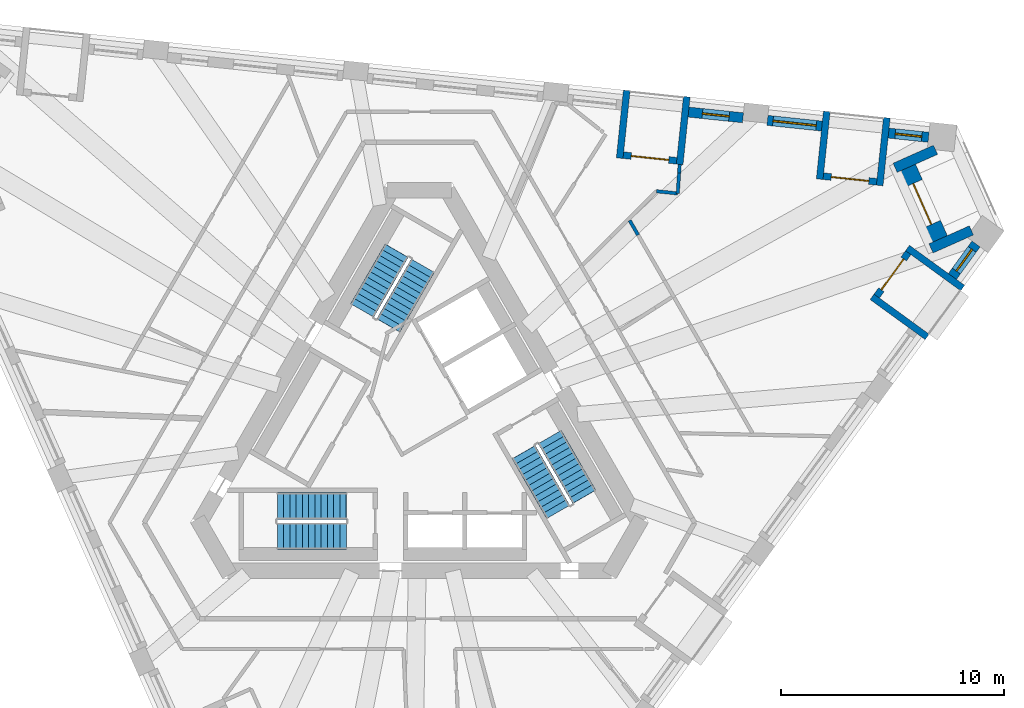
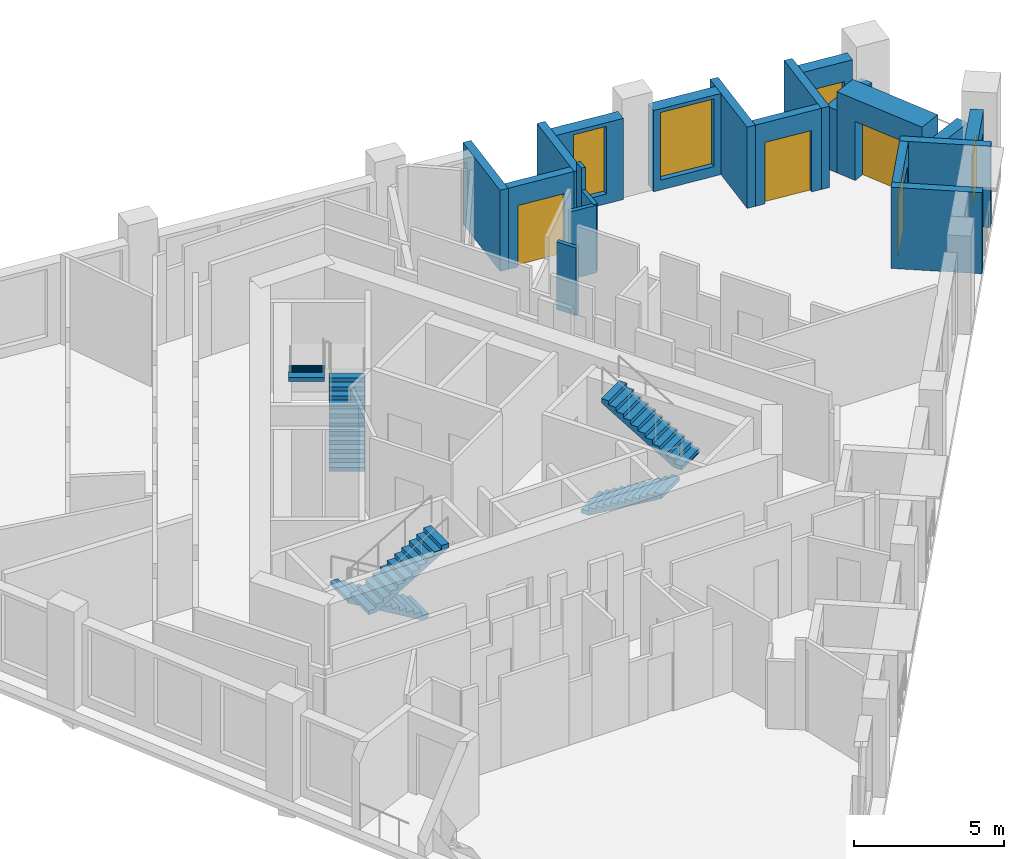
# One storey, part 8 of 11: 20 walls, 6 stair flights, 4 doors, 4 windows, 8 openings, 3 elements without a shape of their own.
"""IFC4 building model written with IfcOpenShell, lengths in metres."""

from ifc_helpers import new_model, si_unit, direction, frame, frame_2d, origin, place, context, subcontext, project, spatial, polyline, rectangle, outline, extrude, material, layer, layer_set, type_object, element, fill, aggregate, save


model = new_model("IFC4")

# Units and contexts
model_context = context("Model", 3, precision=1e-05, world=origin(), true_north=direction((0.0, 1.0)))
body_context = subcontext(model_context, "Body", "Model", "MODEL_VIEW")
ifc_project = project(units=[si_unit("LENGTHUNIT", "METRE"), si_unit("AREAUNIT", "SQUARE_METRE"), si_unit("VOLUMEUNIT", "CUBIC_METRE"), si_unit("PLANEANGLEUNIT", "RADIAN"), si_unit("MASSUNIT", "GRAM", prefix="KILO")], contexts=[model_context])

# Site, building, storey
site_placement = place(None, origin())
site = spatial("IfcSite", under=ifc_project, at=site_placement, CompositionType="ELEMENT")
building_placement = place(site_placement, origin())
building = spatial("IfcBuilding", under=site, at=building_placement, Name="Tramontana Tower", CompositionType="ELEMENT")
storey_placement = place(building_placement, frame((0.0, 0.0, 261.199951171875)))
storey = spatial("IfcBuildingStorey", under=building, at=storey_placement, Name="L61", CompositionType="ELEMENT", Elevation=261.199951171875)

# Wall, opening, window
ifc_material_1 = material(Name="Precast concrete 60 MPa", Category="concrete")
ifc_layer_1 = layer(ifc_material_1, 0.449951171875)
ifc_layer_set_1 = layer_set([ifc_layer_1], Name="Precast concrete 60 MPa, 450 mm")
wall_type_1 = type_object("IfcWallType", Name="EW1 Stone-faced precast wall 450", PredefinedType="SOLIDWALL", material=ifc_layer_set_1)
wall_1_placement = place(storey_placement, frame((23.868408203125, 6.77978515625, 0.0), z_axis=(0.0, 0.0, 1.0), x_axis=(0.587793056764, 0.809011324037, 0.0)))
wall_1 = element("IfcWall", 1, at=wall_1_placement, inside=storey, type_object=wall_type_1, Name="External wall L61 face 1 bay 5", PredefinedType="SOLIDWALL", context=body_context, shape_type="SweptSolid", body=[
    extrude(rectangle(XDim=1.80224609375, YDim=0.449951171875, at=frame_2d((0.901123046875, 0.0))), origin(), (0.0, 0.0, 1.0), 3.300048828125),
])
opening_1_placement = place(wall_1_placement, frame((0.301025390625, 0.0, 0.39990234375)))
opening_1 = element("IfcOpeningElement", 2, at=opening_1_placement, cuts=wall_1, Name="Opening N3L", PredefinedType="OPENING", context=body_context, shape_type="SweptSolid", body=[
    extrude(rectangle(XDim=1.199951171875, YDim=2.10009765625, at=frame_2d((0.60009765625, 1.050048828125))), frame((0.0, 0.23486328125, 0.0), z_axis=(0.0, -1.0, 0.0), x_axis=(1.0, 0.0, 0.0)), (0.0, 0.0, 1.0), 0.469970703125),
])
ifc_material_2 = material(Name="Aluminum frame, double glazing unit", Category="aluminium")
window_type_1 = type_object("IfcWindowType", Name="N3L Window 1.2 x 2.1", PartitioningType="SINGLE_PANEL", PredefinedType="WINDOW", material=ifc_material_2)
window_1_placement = place(opening_1_placement, origin())
window_1 = element("IfcWindow", 3, at=window_1_placement, inside=storey, type_object=window_type_1, Name="Window N3L L61 face 1 module 15", OverallHeight=2.10009765625, OverallWidth=1.199951171875, PartitioningType="SINGLE_PANEL", PredefinedType="WINDOW", context=body_context, shape_type="SweptSolid", body=[
    extrude(rectangle(XDim=1.199951171875, YDim=2.10009765625, at=frame_2d((0.60009765625, 1.050048828125))), frame((0.0, 0.030029296875, 0.0), z_axis=(0.0, -1.0, 0.0), x_axis=(1.0, 0.0, 0.0)), (0.0, 0.0, 1.0), 0.06005859375),
])
fill(opening_1, window_1)

wall_2_placement = place(storey_placement, frame((22.8017578125, 13.012939453125, 0.0), z_axis=(0.0, 0.0, 1.0), x_axis=(-0.994529922737, 0.104452059724, 0.0)))
wall_2 = element("IfcWall", 4, at=wall_2_placement, inside=storey, type_object=wall_type_1, Name="External wall L61 face 2 bay 1", PredefinedType="SOLIDWALL", context=body_context, shape_type="SweptSolid", body=[
    extrude(rectangle(XDim=1.802001953125, YDim=0.449951171875, at=frame_2d((0.90087890625, 0.0))), origin(), (0.0, 0.0, 1.0), 3.300048828125),
])
opening_2_placement = place(wall_2_placement, frame((0.301025390625, 0.0, 0.39990234375)))
opening_2 = element("IfcOpeningElement", 5, at=opening_2_placement, cuts=wall_2, Name="Opening N3L", PredefinedType="OPENING", context=body_context, shape_type="SweptSolid", body=[
    extrude(rectangle(XDim=1.199951171875, YDim=2.10009765625, at=frame_2d((0.60009765625, 1.050048828125))), frame((0.0, 0.23486328125, 0.0), z_axis=(0.0, -1.0, 0.0), x_axis=(1.0, 0.0, 0.0)), (0.0, 0.0, 1.0), 0.469970703125),
])
window_2_placement = place(opening_2_placement, origin())
window_2 = element("IfcWindow", 6, at=window_2_placement, inside=storey, type_object=window_type_1, Name="Window N3L L61 face 2 module 1", OverallHeight=2.10009765625, OverallWidth=1.199951171875, PartitioningType="SINGLE_PANEL", PredefinedType="WINDOW", context=body_context, shape_type="SweptSolid", body=[
    extrude(rectangle(XDim=1.199951171875, YDim=2.10009765625, at=frame_2d((0.60009765625, 1.050048828125))), frame((0.0, 0.030029296875, 0.0), z_axis=(0.0, -1.0, 0.0), x_axis=(1.0, 0.0, 0.0)), (0.0, 0.0, 1.0), 0.06005859375),
])
fill(opening_2, window_2)

wall_3_placement = place(storey_placement, frame((18.023681640625, 13.51513671875, 0.0), z_axis=(0.0, 0.0, 1.0), x_axis=(-0.994520717537, 0.104539668977, 0.0)))
wall_3 = element("IfcWall", 7, at=wall_3_placement, inside=storey, type_object=wall_type_1, Name="External wall L61 face 2 bay 1", PredefinedType="SOLIDWALL", context=body_context, shape_type="SweptSolid", body=[
    extrude(rectangle(XDim=2.4521484375, YDim=0.449951171875, at=frame_2d((1.22607421875, 0.0))), origin(), (0.0, 0.0, 1.0), 3.300048828125),
])
opening_3_placement = place(wall_3_placement, frame((0.251220703125, 0.0, 0.39990234375)))
opening_3 = element("IfcOpeningElement", 8, at=opening_3_placement, cuts=wall_3, Name="Opening M3", PredefinedType="OPENING", context=body_context, shape_type="SweptSolid", body=[
    extrude(rectangle(XDim=1.949951171875, YDim=2.75, at=frame_2d((0.97509765625, 1.375))), frame((0.0, 0.23486328125, 0.0), z_axis=(0.0, -1.0, 0.0), x_axis=(1.0, 0.0, 0.0)), (0.0, 0.0, 1.0), 0.469970703125),
])
ifc_material_3 = material(Name="Aluminum frame, double glazing unit", Category="aluminium")
window_type_2 = type_object("IfcWindowType", Name="M3 Window 1.95 x 2.75", PartitioningType="SINGLE_PANEL", PredefinedType="WINDOW", material=ifc_material_3)
window_3_placement = place(opening_3_placement, origin())
window_3 = element("IfcWindow", 9, at=window_3_placement, inside=storey, type_object=window_type_2, Name="Window M3 L61 face 2 module 3", OverallHeight=2.75, OverallWidth=1.949951171875, PartitioningType="SINGLE_PANEL", PredefinedType="WINDOW", context=body_context, shape_type="SweptSolid", body=[
    extrude(rectangle(XDim=1.949951171875, YDim=2.75, at=frame_2d((0.97509765625, 1.375))), frame((0.0, 0.030029296875, 0.0), z_axis=(0.0, -1.0, 0.0), x_axis=(1.0, 0.0, 0.0)), (0.0, 0.0, 1.0), 0.06005859375),
])
fill(opening_3, window_3)

wall_4_placement = place(storey_placement, frame((14.490966796875, 13.886474609375, 0.0), z_axis=(0.0, 0.0, 1.0), x_axis=(-0.99453214974, 0.104430853361, 0.0)))
wall_4 = element("IfcWall", 10, at=wall_4_placement, inside=storey, type_object=wall_type_1, Name="External wall L61 face 2 bay 2", PredefinedType="SOLIDWALL", context=body_context, shape_type="SweptSolid", body=[
    extrude(rectangle(XDim=2.452392578125, YDim=0.449951171875, at=frame_2d((1.22607421875, 0.0))), origin(), (0.0, 0.0, 1.0), 3.300048828125),
])
opening_4_placement = place(wall_4_placement, frame((0.626220703125, 0.0, 0.39990234375)))
opening_4 = element("IfcOpeningElement", 11, at=opening_4_placement, cuts=wall_4, Name="Opening N3", PredefinedType="OPENING", context=body_context, shape_type="SweptSolid", body=[
    extrude(rectangle(XDim=1.199951171875, YDim=2.75, at=frame_2d((0.60009765625, 1.375))), frame((0.0, 0.23486328125, 0.0), z_axis=(0.0, -1.0, 0.0), x_axis=(1.0, 0.0, 0.0)), (0.0, 0.0, 1.0), 0.469970703125),
])
ifc_material_4 = material(Name="Aluminum frame, double glazing unit", Category="aluminium")
window_type_3 = type_object("IfcWindowType", Name="N3 Window 1.2 x 2.75", PartitioningType="SINGLE_PANEL", PredefinedType="WINDOW", material=ifc_material_4)
window_4_placement = place(opening_4_placement, origin())
window_4 = element("IfcWindow", 12, at=window_4_placement, inside=storey, type_object=window_type_3, Name="Window N3 L61 face 2 module 4", OverallHeight=2.75, OverallWidth=1.199951171875, PartitioningType="SINGLE_PANEL", PredefinedType="WINDOW", context=body_context, shape_type="SweptSolid", body=[
    extrude(rectangle(XDim=1.199951171875, YDim=2.75, at=frame_2d((0.60009765625, 1.375))), frame((0.0, 0.030029296875, 0.0), z_axis=(0.0, -1.0, 0.0), x_axis=(1.0, 0.0, 0.0)), (0.0, 0.0, 1.0), 0.06005859375),
])
fill(opening_4, window_4)

# Walls
for number, where, z_axis, x_axis, name in (
    (13, (23.112548828125, 12.452392578125, 0.0), (0.0, 0.0, 1.0), (-0.913516289312, -0.406802149899, 0.0), "Corner loggia side wall L61 K62l"),
    (14, (24.71923828125, 8.84375, 0.0), (0.0, 0.0, 1.0), (-0.913562124494, -0.406699206651, 0.0), "Corner loggia side wall L61 K62r"),
):
    element("IfcWall", number, at=place(storey_placement, frame(where, z_axis=z_axis, x_axis=x_axis)), inside=storey, type_object=wall_type_1, Name=name, PredefinedType="SOLIDWALL", context=body_context, shape_type="SweptSolid", body=[
        extrude(rectangle(XDim=1.979248046875, YDim=0.449951171875, at=frame_2d((0.98974609375, 0.0))), origin(), (0.0, 0.0, 1.0), 2.550048828125),
    ])

# Wall, opening, door
ifc_material_5 = material(Name="Precast concrete 60 MPa", Category="concrete")
ifc_layer_2 = layer(ifc_material_5, 0.89990234375)
ifc_layer_set_2 = layer_set([ifc_layer_2], Name="EW2 Stone-faced corner loggia wall 900")
wall_type_2 = type_object("IfcWallType", Name="EW2 Stone-faced corner loggia wall 900", PredefinedType="SOLIDWALL", material=ifc_layer_set_2)
wall_5_placement = place(storey_placement, frame((21.80712890625, 11.624755859375, 0.0), z_axis=(0.0, 0.0, 1.0), x_axis=(0.406727323635, -0.913549606868, 0.0)))
wall_5 = element("IfcWall", 15, at=wall_5_placement, inside=storey, type_object=wall_type_2, Name="Corner loggia wall L61 K62", PredefinedType="SOLIDWALL", context=body_context, shape_type="SweptSolid", body=[
    extrude(rectangle(XDim=3.5, YDim=0.89990234375, at=frame_2d((1.75, 0.0))), origin(), (0.0, 0.0, 1.0), 3.300048828125),
])
opening_5_placement = place(wall_5_placement, frame((0.75, 0.0, 0.0)))
opening_5 = element("IfcOpeningElement", 16, at=opening_5_placement, cuts=wall_5, Name="Opening BD-62C", PredefinedType="OPENING", context=body_context, shape_type="SweptSolid", body=[
    extrude(rectangle(XDim=2.0, YDim=2.39990234375, at=frame_2d((1.0, 1.199951171875))), frame((0.0, 0.4599609375, 0.0), z_axis=(0.0, -1.0, 0.0), x_axis=(1.0, 0.0, 0.0)), (0.0, 0.0, 1.0), 0.919921875),
])
ifc_material_6 = material(Name="Aluminum frame, double glazing unit", Category="aluminium")
door_type_1 = type_object("IfcDoorType", Name="BC1 Sliding door 2 x 2.4", OperationType="SLIDING_TO_LEFT", PredefinedType="DOOR", material=ifc_material_6)
door_1_placement = place(opening_5_placement, origin())
door_1 = element("IfcDoor", 17, at=door_1_placement, inside=storey, type_object=door_type_1, Name="Corner loggia door L61 K62", OperationType="SLIDING_TO_LEFT", OverallHeight=2.39990234375, OverallWidth=2.0, PredefinedType="DOOR", context=body_context, shape_type="SweptSolid", body=[
    extrude(rectangle(XDim=2.0, YDim=2.39990234375, at=frame_2d((1.0, 1.199951171875))), frame((0.0, 0.02490234375, 0.0), z_axis=(0.0, -1.0, 0.0), x_axis=(1.0, 0.0, 0.0)), (0.0, 0.0, 1.0), 0.050048828125),
])
fill(opening_5, door_1)

ifc_material_7 = material(Name="Precast concrete 60 MPa", Category="concrete")
ifc_layer_3 = layer(ifc_material_7, 0.300048828125)
ifc_layer_set_3 = layer_set([ifc_layer_3], Name="LW1 Stone-faced loggia wall 300")
wall_type_3 = type_object("IfcWallType", Name="LW1 Stone-faced loggia wall 300", PredefinedType="SOLIDWALL", material=ifc_layer_set_3)
wall_6_placement = place(storey_placement, frame((20.47998046875, 5.9013671875, 0.0), z_axis=(0.0, 0.0, 1.0), x_axis=(0.587833242688, 0.808982125137, 0.0)))
wall_6 = element("IfcWall", 18, at=wall_6_placement, inside=storey, type_object=wall_type_3, Name="Loggia wall L61 G6S1.13", PredefinedType="SOLIDWALL", context=body_context, shape_type="SweptSolid", body=[
    extrude(rectangle(XDim=2.40234375, YDim=0.300048828125, at=frame_2d((1.201171875, 0.0))), origin(), (0.0, 0.0, 1.0), 3.300048828125),
])
opening_6_placement = place(wall_6_placement, frame((0.35107421875, 0.0, 0.0)))
opening_6 = element("IfcOpeningElement", 19, at=opening_6_placement, cuts=wall_6, Name="Opening BD-6S1-13", PredefinedType="OPENING", context=body_context, shape_type="SweptSolid", body=[
    extrude(rectangle(XDim=1.699951171875, YDim=2.5, at=frame_2d((0.85009765625, 1.25))), frame((0.0, 0.159912109375, 0.0), z_axis=(0.0, -1.0, 0.0), x_axis=(1.0, 0.0, 0.0)), (0.0, 0.0, 1.0), 0.320068359375),
])
ifc_material_8 = material(Name="Aluminum frame, double glazing unit", Category="aluminium")
door_type_2 = type_object("IfcDoorType", Name="BD3 Sliding door 1.7 x 2.5", OperationType="SLIDING_TO_LEFT", PredefinedType="DOOR", material=ifc_material_8)
door_2_placement = place(opening_6_placement, origin())
door_2 = element("IfcDoor", 20, at=door_2_placement, inside=storey, type_object=door_type_2, Name="Loggia door L61 G6S1.13", OperationType="SLIDING_TO_LEFT", OverallHeight=2.5, OverallWidth=1.699951171875, PredefinedType="DOOR", context=body_context, shape_type="SweptSolid", body=[
    extrude(rectangle(XDim=1.699951171875, YDim=2.5, at=frame_2d((0.85009765625, 1.25))), frame((0.0, 0.02490234375, 0.0), z_axis=(0.0, -1.0, 0.0), x_axis=(1.0, 0.0, 0.0)), (0.0, 0.0, 1.0), 0.050048828125),
])
fill(opening_6, door_2)

# Walls
for number, where, z_axis, x_axis, name in (
    (21, (22.738037109375, 4.075439453125, 0.0), (0.0, 0.0, 1.0), (-0.80902328748, 0.587776590479, 0.0), "Loggia return L61 G6S1.13a"),
    (22, (24.326416015625, 6.261474609375, 0.0), (0.0, 0.0, 1.0), (-0.808985223782, 0.587828978278, 0.0), "Loggia return L61 G6S1.13b"),
):
    element("IfcWall", number, at=place(storey_placement, frame(where, z_axis=z_axis, x_axis=x_axis)), inside=storey, type_object=wall_type_3, Name=name, PredefinedType="SOLIDWALL", context=body_context, shape_type="SweptSolid", body=[
        extrude(rectangle(XDim=3.050048828125, YDim=0.300048828125, at=frame_2d((1.52490234375, 0.0))), origin(), (0.0, 0.0, 1.0), 3.300048828125),
    ])

# Wall, opening, door
wall_7_placement = place(storey_placement, frame((20.478515625, 11.019775390625, 0.0), z_axis=(0.0, 0.0, 1.0), x_axis=(-0.994517140727, 0.104573690763, 0.0)))
wall_7 = element("IfcWall", 23, at=wall_7_placement, inside=storey, type_object=wall_type_3, Name="Loggia wall L61 G6S2.1", PredefinedType="SOLIDWALL", context=body_context, shape_type="SweptSolid", body=[
    extrude(rectangle(XDim=2.40234375, YDim=0.300048828125, at=frame_2d((1.201171875, 0.0))), origin(), (0.0, 0.0, 1.0), 3.300048828125),
])
opening_7_placement = place(wall_7_placement, frame((0.35107421875, 0.0, 0.0)))
opening_7 = element("IfcOpeningElement", 24, at=opening_7_placement, cuts=wall_7, Name="Opening BD-6S2-01", PredefinedType="OPENING", context=body_context, shape_type="SweptSolid", body=[
    extrude(rectangle(XDim=1.699951171875, YDim=2.5, at=frame_2d((0.85009765625, 1.25))), frame((0.0, 0.159912109375, 0.0), z_axis=(0.0, -1.0, 0.0), x_axis=(1.0, 0.0, 0.0)), (0.0, 0.0, 1.0), 0.320068359375),
])
door_3_placement = place(opening_7_placement, origin())
door_3 = element("IfcDoor", 25, at=door_3_placement, inside=storey, type_object=door_type_2, Name="Loggia door L61 G6S2.1", OperationType="SLIDING_TO_LEFT", OverallHeight=2.5, OverallWidth=1.699951171875, PredefinedType="DOOR", context=body_context, shape_type="SweptSolid", body=[
    extrude(rectangle(XDim=1.699951171875, YDim=2.5, at=frame_2d((0.85009765625, 1.25))), frame((0.0, 0.02490234375, 0.0), z_axis=(0.0, -1.0, 0.0), x_axis=(1.0, 0.0, 0.0)), (0.0, 0.0, 1.0), 0.050048828125),
])
fill(opening_7, door_3)

# Walls
for number, where, z_axis, x_axis, name in (
    (26, (20.930908203125, 13.88818359375, 0.0), (0.0, 0.0, 1.0), (-0.104543108891, -0.994520355942, 0.0), "Loggia return L61 G6S2.1a"),
    (27, (18.243408203125, 14.170654296875, 0.0), (0.0, 0.0, 1.0), (-0.104543108891, -0.994520355942, 0.0), "Loggia return L61 G6S2.1b"),
):
    element("IfcWall", number, at=place(storey_placement, frame(where, z_axis=z_axis, x_axis=x_axis)), inside=storey, type_object=wall_type_3, Name=name, PredefinedType="SOLIDWALL", context=body_context, shape_type="SweptSolid", body=[
        extrude(rectangle(XDim=3.0498046875, YDim=0.300048828125, at=frame_2d((1.52490234375, 0.0))), origin(), (0.0, 0.0, 1.0), 3.300048828125),
    ])

# Wall, opening, door
wall_8_placement = place(storey_placement, frame((11.521240234375, 11.961181640625, 0.0), z_axis=(0.0, 0.0, 1.0), x_axis=(-0.994517140727, 0.104573690763, 0.0)))
wall_8 = element("IfcWall", 28, at=wall_8_placement, inside=storey, type_object=wall_type_3, Name="Loggia wall L61 G6S2.4", PredefinedType="SOLIDWALL", context=body_context, shape_type="SweptSolid", body=[
    extrude(rectangle(XDim=2.40234375, YDim=0.300048828125, at=frame_2d((1.201171875, 0.0))), origin(), (0.0, 0.0, 1.0), 3.300048828125),
])
opening_8_placement = place(wall_8_placement, frame((0.35107421875, 0.0, 0.0)))
opening_8 = element("IfcOpeningElement", 29, at=opening_8_placement, cuts=wall_8, Name="Opening BD-6S2-04", PredefinedType="OPENING", context=body_context, shape_type="SweptSolid", body=[
    extrude(rectangle(XDim=1.699951171875, YDim=2.5, at=frame_2d((0.85009765625, 1.25))), frame((0.0, 0.159912109375, 0.0), z_axis=(0.0, -1.0, 0.0), x_axis=(1.0, 0.0, 0.0)), (0.0, 0.0, 1.0), 0.320068359375),
])
door_4_placement = place(opening_8_placement, origin())
door_4 = element("IfcDoor", 30, at=door_4_placement, inside=storey, type_object=door_type_2, Name="Loggia door L61 G6S2.4", OperationType="SLIDING_TO_LEFT", OverallHeight=2.5, OverallWidth=1.699951171875, PredefinedType="DOOR", context=body_context, shape_type="SweptSolid", body=[
    extrude(rectangle(XDim=1.699951171875, YDim=2.5, at=frame_2d((0.85009765625, 1.25))), frame((0.0, 0.02490234375, 0.0), z_axis=(0.0, -1.0, 0.0), x_axis=(1.0, 0.0, 0.0)), (0.0, 0.0, 1.0), 0.050048828125),
])
fill(opening_8, door_4)

# Walls
for number, where, z_axis, x_axis, name in (
    (31, (11.973388671875, 14.82958984375, 0.0), (0.0, 0.0, 1.0), (-0.104463934444, -0.994528675504, 0.0), "Loggia return L61 G6S2.4a"),
    (32, (9.2861328125, 15.112060546875, 0.0), (0.0, 0.0, 1.0), (-0.104543108891, -0.994520355942, 0.0), "Loggia return L61 G6S2.4b"),
):
    element("IfcWall", number, at=place(storey_placement, frame(where, z_axis=z_axis, x_axis=x_axis)), inside=storey, type_object=wall_type_3, Name=name, PredefinedType="SOLIDWALL", context=body_context, shape_type="SweptSolid", body=[
        extrude(rectangle(XDim=3.0498046875, YDim=0.300048828125, at=frame_2d((1.52490234375, 0.0))), origin(), (0.0, 0.0, 1.0), 3.300048828125),
    ])
ifc_material_9 = material(Name="Gypsum board partition")
ifc_layer_4 = layer(ifc_material_9, 0.14990234375)
ifc_layer_set_4 = layer_set([ifc_layer_4], Name="PARTITION 150")
wall_type_4 = type_object("IfcWallType", Name="PARTITION 150", PredefinedType="PARTITIONING", material=ifc_layer_set_4)
wall_9_placement = place(storey_placement, frame((9.415771484375, 9.291259765625, 0.0), z_axis=(0.0, 0.0, 1.0), x_axis=(0.500132351176, -0.865948977311, 0.0)))
element("IfcWall", 33, at=wall_9_placement, inside=storey, type_object=wall_type_4, Name="Wall v62-pw27-0", PredefinedType="PARTITIONING", context=body_context, shape_type="SweptSolid", body=[
    extrude(rectangle(XDim=0.756103515625, YDim=0.14990234375, at=frame_2d((0.3779296875, 0.0))), origin(), (0.0, 0.0, 1.0), 2.75),
])
wall_10_placement = place(storey_placement, frame((10.618896484375, 10.597900390625, 0.0), z_axis=(0.0, 0.0, 1.0), x_axis=(0.994522285292, -0.104524753323, 0.0)))
element("IfcWall", 34, at=wall_10_placement, inside=storey, type_object=wall_type_4, Name="Wall v62-pw31-0", PredefinedType="PARTITIONING", context=body_context, shape_type="SweptSolid", body=[
    extrude(rectangle(XDim=0.952880859375, YDim=0.14990234375, at=frame_2d((0.4765625, 0.0))), origin(), (0.0, 0.0, 1.0), 2.75),
])
wall_11_placement = place(storey_placement, frame((11.56884765625, 10.5, 0.0), z_axis=(0.0, 0.0, 1.0), x_axis=(0.065954162618, 0.997822653798, 0.0)))
element("IfcWall", 35, at=wall_11_placement, inside=storey, type_object=wall_type_4, Name="Wall v62-pw33-0", PredefinedType="PARTITIONING", context=body_context, shape_type="SweptSolid", body=[
    extrude(rectangle(XDim=0.91796875, YDim=0.14990234375, at=frame_2d((0.458984375, 0.0))), origin(), (0.0, 0.0, 1.0), 2.75),
])
wall_12_placement = place(storey_placement, frame((11.62939453125, 11.416015625, 0.0), z_axis=(0.0, 0.0, 1.0), x_axis=(0.066604022224, 0.997779486772, 0.0)))
element("IfcWall", 36, at=wall_12_placement, inside=storey, type_object=wall_type_4, Name="Wall v62-pw33-1", PredefinedType="PARTITIONING", context=body_context, shape_type="SweptSolid", body=[
    extrude(rectangle(XDim=0.381103515625, YDim=0.14990234375, at=frame_2d((0.1904296875, 0.0))), origin(), (0.0, 0.0, 1.0), 3.650146484375),
])

# Stair, stair flights
ifc_material_10 = material(Name="Concrete 40 MPa", Category="concrete")
stair_type = type_object("IfcStairType", Name="EXIT STAIR 24 RISERS", PredefinedType="HALF_TURN_STAIR", material=ifc_material_10)
stair_1_placement = place(storey_placement, origin())
stair_1 = element("IfcStair", 37, at=stair_1_placement, inside=storey, type_object=stair_type, Name="L61 Exit stair ST1", PredefinedType="HALF_TURN_STAIR")
ifc_material_11 = material(Name="Concrete 40 MPa", Category="concrete")
ifc_layer_5 = layer(ifc_material_11, 0.14990234375)
ifc_layer_set_5 = layer_set([ifc_layer_5], Name="EXIT STAIR FLIGHT")
stair_flight_type = type_object("IfcStairFlightType", Name="EXIT STAIR FLIGHT", PredefinedType="STRAIGHT", material=ifc_layer_set_5)
stair_flight_1_placement = place(storey_placement, frame((-1.39111328125, 4.590576171875, 0.0), z_axis=(0.0, 0.0, 1.0), x_axis=(0.5, 0.866025403784, 0.0)))
stair_flight_1 = element("IfcStairFlight", 38, at=stair_flight_1_placement, type_object=stair_flight_type, Name="ST1 flight 1", NumberOfRisers=12, NumberOfTreads=11, PredefinedType="STRAIGHT", RiserHeight=0.166666667, TreadLength=0.28, context=body_context, shape_type="SweptSolid", body=[
    extrude(outline(polyline([(-0.006103515625, 0.0), (-0.006103515625, 0.0400390625), (0.0, 0.0400390625), (0.0, 0.166748046875), (0.280029296875, 0.166748046875), (0.280029296875, 0.333251953125), (0.56005859375, 0.333251953125), (0.56005859375, 0.5), (0.840087890625, 0.5), (0.840087890625, 0.666748046875), (1.1201171875, 0.666748046875), (1.1201171875, 0.833251953125), (1.39990234375, 0.833251953125), (1.39990234375, 1.0), (1.679931640625, 1.0), (1.679931640625, 1.166748046875), (1.9599609375, 1.166748046875), (1.9599609375, 1.333251953125), (2.239990234375, 1.333251953125), (2.239990234375, 1.5), (2.52001953125, 1.5), (2.52001953125, 1.666748046875), (2.800048828125, 1.666748046875), (2.800048828125, 1.833251953125), (3.080078125, 1.833251953125), (3.0859375, 1.833251953125), (3.0859375, 1.658935546875), (0.299072265625, 0.0), (-0.006103515625, 0.0)])), frame((0.0, 0.60009765625, 0.0), z_axis=(0.0, -1.0, 0.0), x_axis=(1.0, 0.0, 0.0)), (0.0, 0.0, 1.0), 1.199951171875),
])
stair_flight_2_placement = place(storey_placement, frame((-1.020263671875, 7.932861328125, 2.0), z_axis=(0.0, 0.0, 1.0), x_axis=(-0.5, -0.866025403784, 0.0)))
stair_flight_2 = element("IfcStairFlight", 39, at=stair_flight_2_placement, type_object=stair_flight_type, Name="ST1 flight 2", NumberOfRisers=12, NumberOfTreads=11, PredefinedType="STRAIGHT", RiserHeight=0.166666667, TreadLength=0.28, context=body_context, shape_type="SweptSolid", body=[
    extrude(outline(polyline([(-0.006103515625, 0.0), (-0.006103515625, 0.0400390625), (0.0, 0.0400390625), (0.0, 0.166748046875), (0.280029296875, 0.166748046875), (0.280029296875, 0.333251953125), (0.56005859375, 0.333251953125), (0.56005859375, 0.5), (0.840087890625, 0.5), (0.840087890625, 0.666748046875), (1.1201171875, 0.666748046875), (1.1201171875, 0.833251953125), (1.39990234375, 0.833251953125), (1.39990234375, 1.0), (1.679931640625, 1.0), (1.679931640625, 1.166748046875), (1.9599609375, 1.166748046875), (1.9599609375, 1.333251953125), (2.239990234375, 1.333251953125), (2.239990234375, 1.5), (2.52001953125, 1.5), (2.52001953125, 1.666748046875), (2.800048828125, 1.666748046875), (2.800048828125, 1.833251953125), (3.080078125, 1.833251953125), (3.0859375, 1.833251953125), (3.0859375, 1.658935546875), (0.299072265625, 0.0), (-0.006103515625, 0.0)])), frame((0.0, 0.60009765625, 0.0), z_axis=(0.0, -1.0, 0.0), x_axis=(1.0, 0.0, 0.0)), (0.0, 0.0, 1.0), 1.199951171875),
])
aggregate(stair_1, [stair_flight_1, stair_flight_2])

stair_2_placement = place(storey_placement, origin())
stair_2 = element("IfcStair", 40, at=stair_2_placement, inside=storey, type_object=stair_type, Name="L61 Exit stair ST2", PredefinedType="HALF_TURN_STAIR")
stair_flight_3_placement = place(storey_placement, frame((-3.280029296875, -3.5, 0.0), z_axis=(0.0, 0.0, 1.0), x_axis=(-1.0, 0.0, 0.0)))
stair_flight_3 = element("IfcStairFlight", 41, at=stair_flight_3_placement, type_object=stair_flight_type, Name="ST2 flight 1", NumberOfRisers=12, NumberOfTreads=11, PredefinedType="STRAIGHT", RiserHeight=0.166666667, TreadLength=0.28, context=body_context, shape_type="SweptSolid", body=[
    extrude(outline(polyline([(-0.006103515625, 0.0), (-0.006103515625, 0.0400390625), (0.0, 0.0400390625), (0.0, 0.166748046875), (0.280029296875, 0.166748046875), (0.280029296875, 0.333251953125), (0.56005859375, 0.333251953125), (0.56005859375, 0.5), (0.840087890625, 0.5), (0.840087890625, 0.666748046875), (1.1201171875, 0.666748046875), (1.1201171875, 0.833251953125), (1.39990234375, 0.833251953125), (1.39990234375, 1.0), (1.679931640625, 1.0), (1.679931640625, 1.166748046875), (1.9599609375, 1.166748046875), (1.9599609375, 1.333251953125), (2.239990234375, 1.333251953125), (2.239990234375, 1.5), (2.52001953125, 1.5), (2.52001953125, 1.666748046875), (2.800048828125, 1.666748046875), (2.800048828125, 1.833251953125), (3.080078125, 1.833251953125), (3.0859375, 1.833251953125), (3.0859375, 1.658935546875), (0.299072265625, 0.0), (-0.006103515625, 0.0)])), frame((0.0, 0.60009765625, 0.0), z_axis=(0.0, -1.0, 0.0), x_axis=(1.0, 0.0, 0.0)), (0.0, 0.0, 1.0), 1.199951171875),
])
stair_flight_4_placement = place(storey_placement, frame((-6.360107421875, -4.85009765625, 2.0), z_axis=(0.0, 0.0, 1.0), x_axis=(1.0, 0.0, 0.0)))
stair_flight_4 = element("IfcStairFlight", 42, at=stair_flight_4_placement, type_object=stair_flight_type, Name="ST2 flight 2", NumberOfRisers=12, NumberOfTreads=11, PredefinedType="STRAIGHT", RiserHeight=0.166666667, TreadLength=0.28, context=body_context, shape_type="SweptSolid", body=[
    extrude(outline(polyline([(-0.006103515625, 0.0), (-0.006103515625, 0.0400390625), (0.0, 0.0400390625), (0.0, 0.166748046875), (0.280029296875, 0.166748046875), (0.280029296875, 0.333251953125), (0.56005859375, 0.333251953125), (0.56005859375, 0.5), (0.840087890625, 0.5), (0.840087890625, 0.666748046875), (1.1201171875, 0.666748046875), (1.1201171875, 0.833251953125), (1.39990234375, 0.833251953125), (1.39990234375, 1.0), (1.679931640625, 1.0), (1.679931640625, 1.166748046875), (1.9599609375, 1.166748046875), (1.9599609375, 1.333251953125), (2.239990234375, 1.333251953125), (2.239990234375, 1.5), (2.52001953125, 1.5), (2.52001953125, 1.666748046875), (2.800048828125, 1.666748046875), (2.800048828125, 1.833251953125), (3.080078125, 1.833251953125), (3.0859375, 1.833251953125), (3.0859375, 1.658935546875), (0.299072265625, 0.0), (-0.006103515625, 0.0)])), frame((0.0, 0.60009765625, 0.0), z_axis=(0.0, -1.0, 0.0), x_axis=(1.0, 0.0, 0.0)), (0.0, 0.0, 1.0), 1.199951171875),
])
aggregate(stair_2, [stair_flight_3, stair_flight_4])

stair_3_placement = place(storey_placement, origin())
stair_3 = element("IfcStair", 43, at=stair_3_placement, inside=storey, type_object=stair_type, Name="L61 Exit stair ST3", PredefinedType="HALF_TURN_STAIR")
stair_flight_5_placement = place(storey_placement, frame((4.671142578125, -1.090576171875, 0.0), z_axis=(0.0, 0.0, 1.0), x_axis=(0.5, -0.866025403784, 0.0)))
stair_flight_5 = element("IfcStairFlight", 44, at=stair_flight_5_placement, type_object=stair_flight_type, Name="ST3 flight 1", NumberOfRisers=12, NumberOfTreads=11, PredefinedType="STRAIGHT", RiserHeight=0.166666667, TreadLength=0.28, context=body_context, shape_type="SweptSolid", body=[
    extrude(outline(polyline([(-0.006103515625, 0.0), (-0.006103515625, 0.0400390625), (0.0, 0.0400390625), (0.0, 0.166748046875), (0.280029296875, 0.166748046875), (0.280029296875, 0.333251953125), (0.56005859375, 0.333251953125), (0.56005859375, 0.5), (0.840087890625, 0.5), (0.840087890625, 0.666748046875), (1.1201171875, 0.666748046875), (1.1201171875, 0.833251953125), (1.39990234375, 0.833251953125), (1.39990234375, 1.0), (1.679931640625, 1.0), (1.679931640625, 1.166748046875), (1.9599609375, 1.166748046875), (1.9599609375, 1.333251953125), (2.239990234375, 1.333251953125), (2.239990234375, 1.5), (2.52001953125, 1.5), (2.52001953125, 1.666748046875), (2.800048828125, 1.666748046875), (2.800048828125, 1.833251953125), (3.080078125, 1.833251953125), (3.0859375, 1.833251953125), (3.0859375, 1.658935546875), (0.299072265625, 0.0), (-0.006103515625, 0.0)])), frame((0.0, 0.60009765625, 0.0), z_axis=(0.0, -1.0, 0.0), x_axis=(1.0, 0.0, 0.0)), (0.0, 0.0, 1.0), 1.199951171875),
])
stair_flight_6_placement = place(storey_placement, frame((7.380126953125, -3.0830078125, 2.0), z_axis=(0.0, 0.0, 1.0), x_axis=(-0.5, 0.866025403784, 0.0)))
stair_flight_6 = element("IfcStairFlight", 45, at=stair_flight_6_placement, type_object=stair_flight_type, Name="ST3 flight 2", NumberOfRisers=12, NumberOfTreads=11, PredefinedType="STRAIGHT", RiserHeight=0.166666667, TreadLength=0.28, context=body_context, shape_type="SweptSolid", body=[
    extrude(outline(polyline([(-0.006103515625, 0.0), (-0.006103515625, 0.0400390625), (0.0, 0.0400390625), (0.0, 0.166748046875), (0.280029296875, 0.166748046875), (0.280029296875, 0.333251953125), (0.56005859375, 0.333251953125), (0.56005859375, 0.5), (0.840087890625, 0.5), (0.840087890625, 0.666748046875), (1.1201171875, 0.666748046875), (1.1201171875, 0.833251953125), (1.39990234375, 0.833251953125), (1.39990234375, 1.0), (1.679931640625, 1.0), (1.679931640625, 1.166748046875), (1.9599609375, 1.166748046875), (1.9599609375, 1.333251953125), (2.239990234375, 1.333251953125), (2.239990234375, 1.5), (2.52001953125, 1.5), (2.52001953125, 1.666748046875), (2.800048828125, 1.666748046875), (2.800048828125, 1.833251953125), (3.080078125, 1.833251953125), (3.0859375, 1.833251953125), (3.0859375, 1.658935546875), (0.299072265625, 0.0), (-0.006103515625, 0.0)])), frame((0.0, 0.60009765625, 0.0), z_axis=(0.0, -1.0, 0.0), x_axis=(1.0, 0.0, 0.0)), (0.0, 0.0, 1.0), 1.199951171875),
])
aggregate(stair_3, [stair_flight_5, stair_flight_6])

save(model, "model.ifc")
